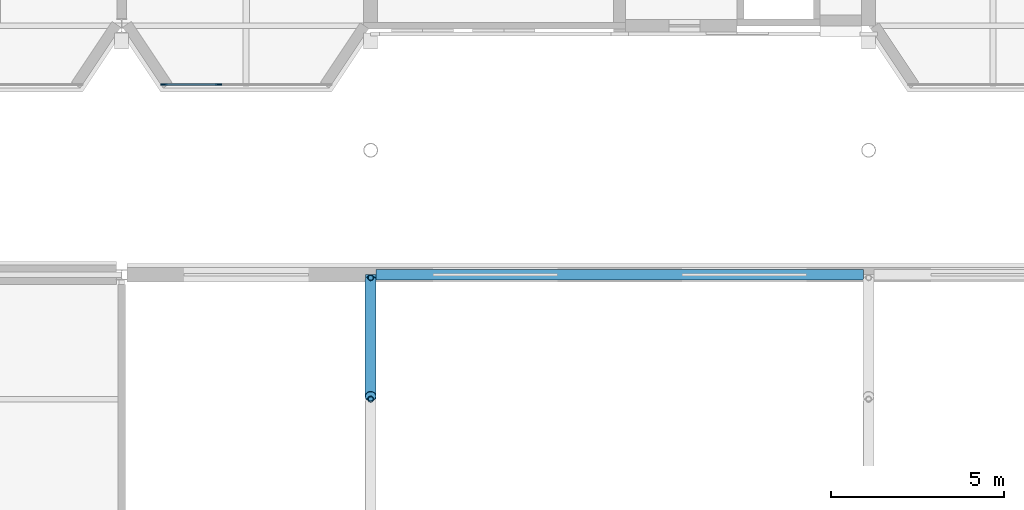
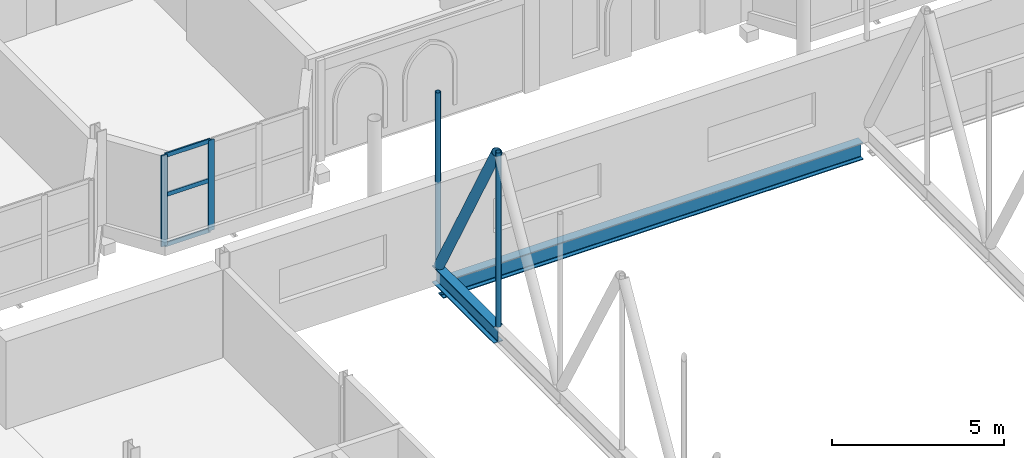
# One storey, part 46 of 142: 9 members, 1 beam, 1 element without a shape of its own.
"""IFC4 building model written with IfcOpenShell, lengths in metres."""

from ifc_helpers import new_model, si_unit, direction, frame, origin, origin_2d, place, context, subcontext, project, spatial, rectangle, hollow_circle, i_section, extrude, material, material_profile, profile_set, type_object, element, aggregate, save


model = new_model("IFC4")

# Units and contexts
model_context = context("Model", 3, precision=1e-05, world=origin(), true_north=direction((0.0, 1.0)))
body_context = subcontext(model_context, "Body", "Model", "MODEL_VIEW")
ifc_project = project(units=[si_unit("LENGTHUNIT", "METRE"), si_unit("AREAUNIT", "SQUARE_METRE"), si_unit("VOLUMEUNIT", "CUBIC_METRE"), si_unit("PLANEANGLEUNIT", "RADIAN"), si_unit("MASSUNIT", "GRAM", prefix="KILO")], contexts=[model_context])

# Site, building, storey
site_placement = place(None, origin())
site = spatial("IfcSite", under=ifc_project, at=site_placement, CompositionType="ELEMENT")
building_placement = place(site_placement, origin())
building = spatial("IfcBuilding", under=site, at=building_placement, Name="Kupolbacken Congress Centre", CompositionType="ELEMENT")
storey_placement = place(building_placement, frame((0.0, 0.0, 14.39990234375)))
storey = spatial("IfcBuildingStorey", under=building, at=storey_placement, Name="L04", CompositionType="ELEMENT", Elevation=14.39990234375)

# Beam
ifc_material_1 = material(Name="Steel S355", Category="steel")
ifc_material_profile_1 = material_profile(ifc_material_1, i_section(OverallWidth=0.300048828125, OverallDepth=0.60009765625, WebThickness=0.015380859375, FlangeThickness=0.030029296875, FilletRadius=0.027099609375, at=origin_2d()), Name="HEB 600")
ifc_profile_set_1 = profile_set([ifc_material_profile_1], Name="Steel S355")
beam_type = type_object("IfcBeamType", Name="B15 beam HEB 600", PredefinedType="BEAM", material=ifc_profile_set_1)
beam_placement = place(storey_placement, frame((93.75, 115.199951171875, -0.2998046875), z_axis=(1.0, 0.0, 0.0), x_axis=(0.0, 1.0, 0.0)))
element("IfcBeam", 1, at=beam_placement, inside=storey, type_object=beam_type, Name="Edge girder", PredefinedType="BEAM", context=body_context, shape_type="SweptSolid", body=[
    extrude(i_section(OverallWidth=0.300048828125, OverallDepth=0.60009765625, WebThickness=0.015380859375, FlangeThickness=0.030029296875, FilletRadius=0.027099609375, at=origin_2d()), origin(), (0.0, 0.0, 1.0), 14.10009765625),
])

# Members
ifc_material_2 = material(Name="Steel S355", Category="steel")
ifc_material_profile_2 = material_profile(ifc_material_2, i_section(OverallWidth=0.300048828125, OverallDepth=0.60009765625, WebThickness=0.015380859375, FlangeThickness=0.030029296875, FilletRadius=0.027099609375, at=origin_2d()), Name="HEB 600")
ifc_profile_set_2 = profile_set([ifc_material_profile_2], Name="Steel S355")
member_type_1 = type_object("IfcMemberType", Name="M02 transfer truss chord HEB 600", PredefinedType="CHORD", material=ifc_profile_set_2)
member_1_placement = place(storey_placement, frame((93.60009765625, 111.60009765625, 0.2900390625), z_axis=(0.0, 1.0, 0.0), x_axis=(-1.0, 0.0, 0.0)))
element("IfcMember", 2, at=member_1_placement, inside=storey, type_object=member_type_1, Name="HT/T1/BC20", PredefinedType="CHORD", context=body_context, shape_type="SweptSolid", body=[
    extrude(i_section(OverallWidth=0.300048828125, OverallDepth=0.60009765625, WebThickness=0.015380859375, FlangeThickness=0.030029296875, FilletRadius=0.027099609375, at=origin_2d()), origin(), (0.0, 0.0, 1.0), 3.599853515625),
])
ifc_material_3 = material(Name="Steel S355", Category="steel")
ifc_material_profile_3 = material_profile(ifc_material_3, hollow_circle(Radius=0.161865234375, WallThickness=0.012451171875, at=origin_2d()), Name="CHS 323.9 x 12.5")
ifc_profile_set_3 = profile_set([ifc_material_profile_3], Name="Steel S355")
member_type_2 = type_object("IfcMemberType", Name="M04 transfer truss web CHS 323.9 x 12.5", PredefinedType="BRACE", material=ifc_profile_set_3)
member_2_placement = place(storey_placement, frame((93.60009765625, 111.68408203125, 6.69287109375), z_axis=(0.0, 0.485036131954, -0.874494111301), x_axis=(-1.0, 0.0, 0.0)))
element("IfcMember", 3, at=member_2_placement, inside=storey, type_object=member_type_2, Name="HT/T1/D20", PredefinedType="BRACE", context=body_context, shape_type="SweptSolid", body=[
    extrude(hollow_circle(Radius=0.161865234375, WallThickness=0.012451171875, at=origin_2d()), origin(), (0.0, 0.0, 1.0), 6.90185546875),
])
ifc_material_4 = material(Name="Steel S355", Category="steel")
ifc_material_profile_4 = material_profile(ifc_material_4, hollow_circle(Radius=0.084228515625, WallThickness=0.008056640625, at=origin_2d()), Name="CHS 168.3 x 8")
ifc_profile_set_4 = profile_set([ifc_material_profile_4], Name="Steel S355")
member_type_3 = type_object("IfcMemberType", Name="M20 transfer truss post CHS 168.3 x 8", PredefinedType="STRUT", material=ifc_profile_set_4)
for number, where, z_axis, x_axis, name in (
    (4, (93.60009765625, 111.60009765625, 0.580078125), (0.0, 0.0, 1.0), (0.0, 1.0, 0.0), "HT/T1/P19"),
    (5, (93.60009765625, 115.115966796875, 0.580078125), (0.0, 0.0, 1.0), (0.0, 1.0, 0.0), "HT/T1/P20"),
):
    element("IfcMember", number, at=place(storey_placement, frame(where, z_axis=z_axis, x_axis=x_axis)), inside=storey, type_object=member_type_3, Name=name, PredefinedType="STRUT", context=body_context, shape_type="SweptSolid", body=[
        extrude(hollow_circle(Radius=0.084228515625, WallThickness=0.008056640625, at=origin_2d()), origin(), (0.0, 0.0, 1.0), 6.18994140625),
    ])

# Curtain wall, members
ifc_material_5 = material(Name="Aluminium mullion-transom frame with glass", Category="aluminium")
curtain_wall_type = type_object("IfcCurtainWallType", Name="CW1 curtain wall 7200x3600", PredefinedType="NOTDEFINED", material=ifc_material_5)
curtain_wall_placement = place(storey_placement, origin())
curtain_wall = element("IfcCurtainWall", 6, at=curtain_wall_placement, inside=storey, type_object=curtain_wall_type, Name="E/T/cumba/L04/S/008/cw", PredefinedType="NOTDEFINED")
ifc_material_6 = material(Name="Aluminium alloy", Category="aluminium")
ifc_material_profile_5 = material_profile(ifc_material_6, rectangle(XDim=0.050048828125, YDim=0.199951171875, at=origin_2d()), Name="50 x 200")
ifc_profile_set_5 = profile_set([ifc_material_profile_5], Name="Aluminium alloy")
member_type_4 = type_object("IfcMemberType", Name="MU2 mullion 50x200", PredefinedType="MULLION", material=ifc_profile_set_5)
member_3_placement = place(storey_placement, frame((87.625, 120.699951171875, 0.0), z_axis=(0.0, 0.0, 1.0), x_axis=(0.0, 1.0, 0.0)))
member_3 = element("IfcMember", 7, at=member_3_placement, type_object=member_type_4, Name="CW1 mullion 1", PredefinedType="MULLION", context=body_context, shape_type="SweptSolid", body=[
    extrude(rectangle(XDim=0.050048828125, YDim=0.199951171875, at=origin_2d()), origin(), (0.0, 0.0, 1.0), 3.22021484375),
])
member_4_placement = place(storey_placement, frame((89.199951171875, 120.699951171875, 0.0), z_axis=(0.0, 0.0, 1.0), x_axis=(0.0, 1.0, 0.0)))
member_4 = element("IfcMember", 8, at=member_4_placement, type_object=member_type_4, Name="CW1 mullion 2", PredefinedType="MULLION", context=body_context, shape_type="SweptSolid", body=[
    extrude(rectangle(XDim=0.050048828125, YDim=0.199951171875, at=origin_2d()), origin(), (0.0, 0.0, 1.0), 3.22021484375),
])
ifc_material_7 = material(Name="Aluminium alloy", Category="aluminium")
ifc_material_profile_6 = material_profile(ifc_material_7, rectangle(XDim=0.050048828125, YDim=0.14990234375, at=origin_2d()), Name="50 x 150")
ifc_profile_set_6 = profile_set([ifc_material_profile_6], Name="Aluminium alloy")
member_type_5 = type_object("IfcMemberType", Name="TR2 transom 50x150", PredefinedType="MULLION", material=ifc_profile_set_6)
member_5_placement = place(storey_placement, frame((87.64990234375, 120.699951171875, 0.025146484375), z_axis=(1.0, 0.0, 0.0), x_axis=(0.0, 1.0, 0.0)))
member_5 = element("IfcMember", 9, at=member_5_placement, type_object=member_type_5, Name="CW1 transom 1.1", PredefinedType="MULLION", context=body_context, shape_type="SweptSolid", body=[
    extrude(rectangle(XDim=0.050048828125, YDim=0.14990234375, at=origin_2d()), origin(), (0.0, 0.0, 1.0), 1.525146484375),
])
member_6_placement = place(storey_placement, frame((87.64990234375, 120.699951171875, 1.800048828125), z_axis=(1.0, 0.0, 0.0), x_axis=(0.0, 1.0, 0.0)))
member_6 = element("IfcMember", 10, at=member_6_placement, type_object=member_type_5, Name="CW1 transom 1.2", PredefinedType="MULLION", context=body_context, shape_type="SweptSolid", body=[
    extrude(rectangle(XDim=0.050048828125, YDim=0.14990234375, at=origin_2d()), origin(), (0.0, 0.0, 1.0), 1.525146484375),
])
member_7_placement = place(storey_placement, frame((87.64990234375, 120.699951171875, 3.195068359375), z_axis=(1.0, 0.0, 0.0), x_axis=(0.0, 1.0, 0.0)))
member_7 = element("IfcMember", 11, at=member_7_placement, type_object=member_type_5, Name="CW1 transom 1.3", PredefinedType="MULLION", context=body_context, shape_type="SweptSolid", body=[
    extrude(rectangle(XDim=0.050048828125, YDim=0.14990234375, at=origin_2d()), origin(), (0.0, 0.0, 1.0), 1.525146484375),
])
aggregate(curtain_wall, [member_3, member_4, member_5, member_6, member_7])

save(model, "model.ifc")
